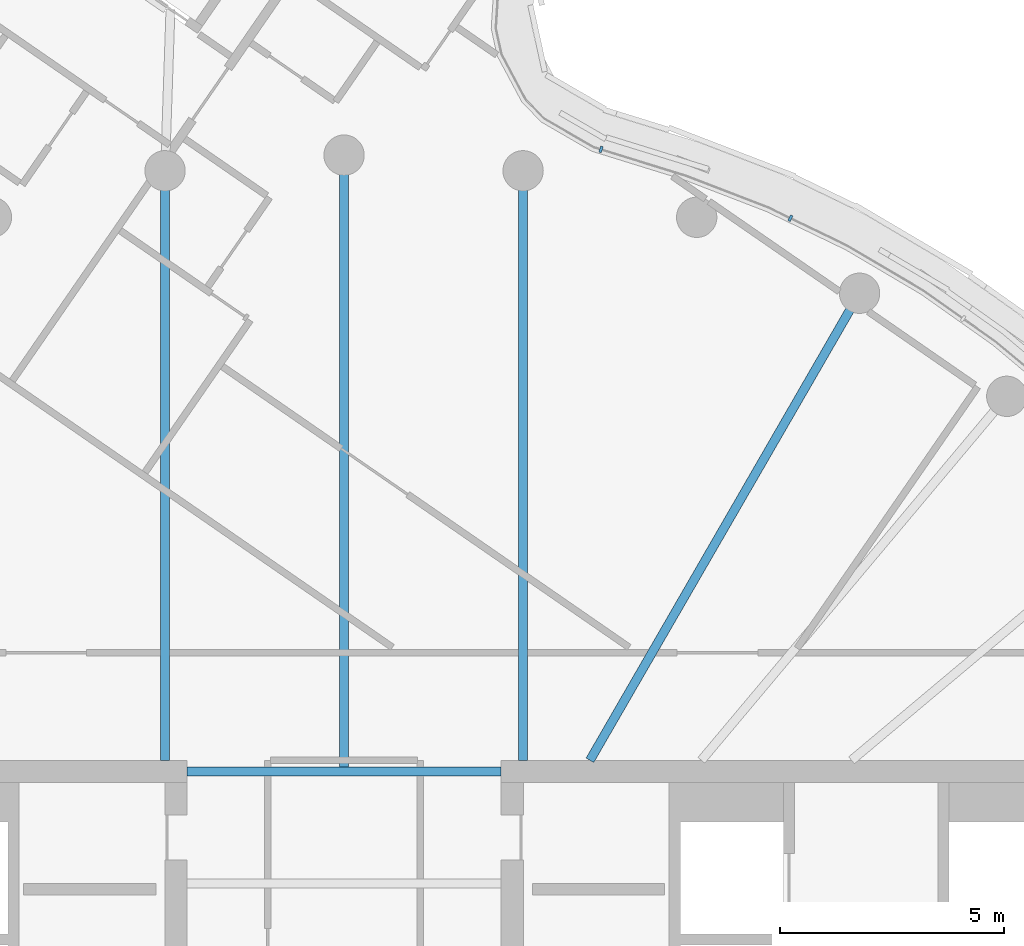
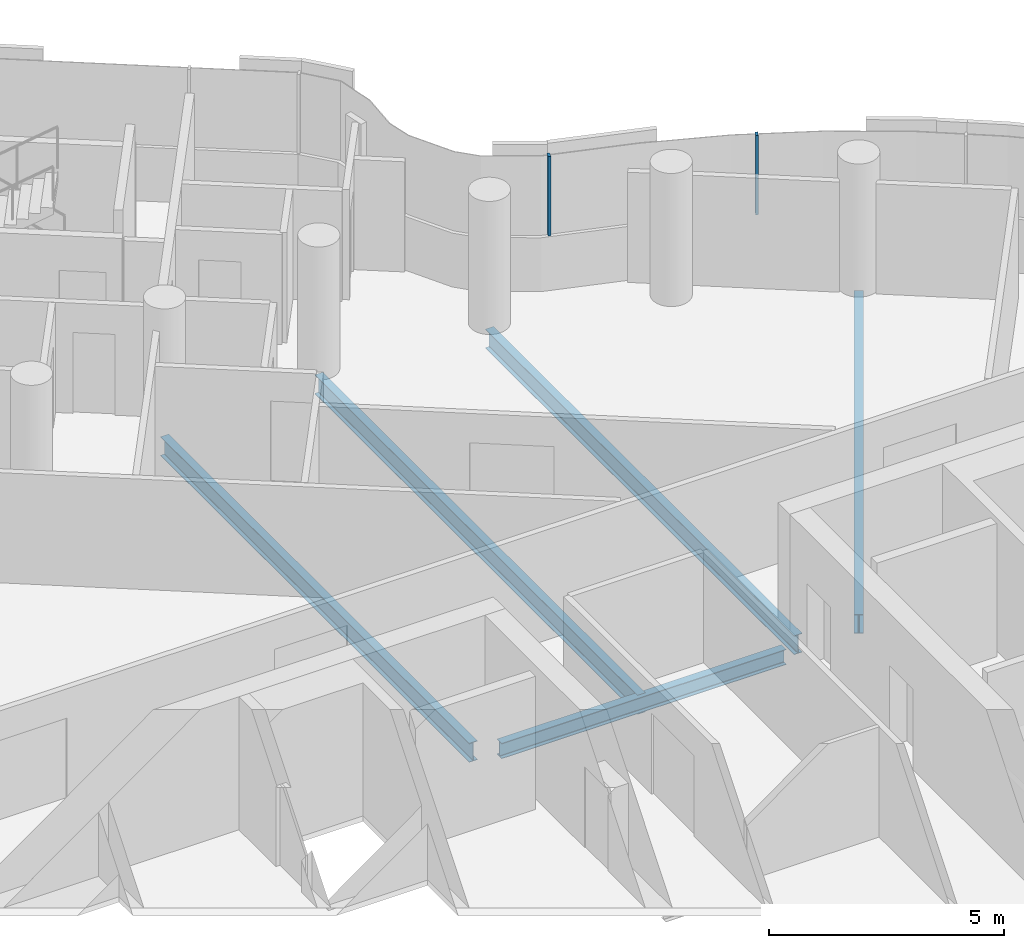
# One storey, part 10 of 26: 5 beams, 2 members, 1 element without a shape of its own.
"""IFC4 building model written with IfcOpenShell, lengths in metres."""

from ifc_helpers import new_model, si_unit, direction, frame, origin, origin_2d, place, context, subcontext, project, spatial, rectangle, i_section, extrude, material, layer, layer_set, material_profile, profile_set, type_object, element, aggregate, save


model = new_model("IFC4")

# Units and contexts
model_context = context("Model", 3, precision=1e-05, world=origin(), true_north=direction((0.0, 1.0)))
body_context = subcontext(model_context, "Body", "Model", "MODEL_VIEW")
ifc_project = project(units=[si_unit("LENGTHUNIT", "METRE"), si_unit("AREAUNIT", "SQUARE_METRE"), si_unit("VOLUMEUNIT", "CUBIC_METRE"), si_unit("PLANEANGLEUNIT", "RADIAN"), si_unit("MASSUNIT", "GRAM", prefix="KILO")], contexts=[model_context])

# Site, building, storey
site_placement = place(None, origin())
site = spatial("IfcSite", under=ifc_project, at=site_placement, CompositionType="ELEMENT")
building_placement = place(site_placement, origin())
building = spatial("IfcBuilding", under=site, at=building_placement, Name="Tamarind Cross Interchange Tower", CompositionType="ELEMENT")
storey_placement = place(building_placement, frame((0.0, 0.0, 234.300048828125)))
storey = spatial("IfcBuildingStorey", under=building, at=storey_placement, Name="L59", CompositionType="ELEMENT", Elevation=234.300048828125)

# Beams
ifc_material_1 = material(Name="Steel Q355B", Category="steel")
ifc_material_profile_1 = material_profile(ifc_material_1, i_section(OverallWidth=0.199951171875, OverallDepth=0.39990234375, WebThickness=0.008056640625, FlangeThickness=0.012939453125, FilletRadius=0.01611328125, at=origin_2d()), Name="HN 400x200x8x13")
ifc_profile_set_1 = profile_set([ifc_material_profile_1], Name="Steel Q355B")
beam_type_1 = type_object("IfcBeamType", Name="Composite beam HN 400x200x8x13 Q355B", PredefinedType="BEAM", material=ifc_profile_set_1)
beam_1_placement = place(storey_placement, frame((-3.5, 9.25, -0.340087890625), z_axis=(1.0, 0.0, 0.0), x_axis=(0.0, 1.0, 0.0)))
element("IfcBeam", 1, at=beam_1_placement, inside=storey, type_object=beam_type_1, Name="Beam G9.25", PredefinedType="BEAM", context=body_context, shape_type="SweptSolid", body=[
    extrude(i_section(OverallWidth=0.199951171875, OverallDepth=0.39990234375, WebThickness=0.008056640625, FlangeThickness=0.012939453125, FilletRadius=0.01611328125, at=origin_2d()), origin(), (0.0, 0.0, 1.0), 7.0),
])
ifc_material_profile_2 = material_profile(ifc_material_1, i_section(OverallWidth=0.198974609375, OverallDepth=0.49609375, WebThickness=0.009033203125, FlangeThickness=0.013916015625, FilletRadius=0.012939453125, at=origin_2d()), Name="HN 496x199x9x14")
ifc_profile_set_2 = profile_set([ifc_material_profile_2], Name="Steel Q355B")
beam_type_2 = type_object("IfcBeamType", Name="Composite beam HN 496x199x9x14 Q355B", PredefinedType="BEAM", material=ifc_profile_set_2)
beam_2_placement = place(storey_placement, frame((11.5, 19.918701171875, -0.387939453125), z_axis=(-0.499993565836, -0.866029118519, 0.0), x_axis=(0.866029118519, -0.499993565836, 0.0)))
element("IfcBeam", 2, at=beam_2_placement, inside=storey, type_object=beam_type_2, Name="Beam HH06", PredefinedType="BEAM", context=body_context, shape_type="SweptSolid", body=[
    extrude(i_section(OverallWidth=0.198974609375, OverallDepth=0.49609375, WebThickness=0.009033203125, FlangeThickness=0.013916015625, FilletRadius=0.012939453125, at=origin_2d()), origin(), (0.0, 0.0, 1.0), 12.030517578125),
])
beam_3_placement = place(storey_placement, frame((3.993896484375, 22.650634765625, -0.387939453125), z_axis=(0.0, -1.0, 0.0), x_axis=(1.0, 0.0, 0.0)))
element("IfcBeam", 3, at=beam_3_placement, inside=storey, type_object=beam_type_2, Name="Beam HH08", PredefinedType="BEAM", context=body_context, shape_type="SweptSolid", body=[
    extrude(i_section(OverallWidth=0.198974609375, OverallDepth=0.49609375, WebThickness=0.009033203125, FlangeThickness=0.013916015625, FilletRadius=0.012939453125, at=origin_2d()), origin(), (0.0, 0.0, 1.0), 13.150634765625),
])
beam_4_placement = place(storey_placement, frame((0.0, 23.0, -0.387939453125), z_axis=(0.0, -1.0, 0.0), x_axis=(1.0, 0.0, 0.0)))
element("IfcBeam", 4, at=beam_4_placement, inside=storey, type_object=beam_type_2, Name="Beam HH09", PredefinedType="BEAM", context=body_context, shape_type="SweptSolid", body=[
    extrude(i_section(OverallWidth=0.198974609375, OverallDepth=0.49609375, WebThickness=0.009033203125, FlangeThickness=0.013916015625, FilletRadius=0.012939453125, at=origin_2d()), origin(), (0.0, 0.0, 1.0), 13.75),
])
beam_5_placement = place(storey_placement, frame((-3.993896484375, 22.650634765625, -0.387939453125), z_axis=(0.0, -1.0, 0.0), x_axis=(1.0, 0.0, 0.0)))
element("IfcBeam", 5, at=beam_5_placement, inside=storey, type_object=beam_type_2, Name="Beam HH10", PredefinedType="BEAM", context=body_context, shape_type="SweptSolid", body=[
    extrude(i_section(OverallWidth=0.198974609375, OverallDepth=0.49609375, WebThickness=0.009033203125, FlangeThickness=0.013916015625, FilletRadius=0.012939453125, at=origin_2d()), origin(), (0.0, 0.0, 1.0), 13.150634765625),
])

# Curtain wall, members
ifc_material_2 = material(Name="Aluminium 6063-T6", Category="aluminium")
ifc_layer = layer(ifc_material_2, 0.139892578125)
ifc_layer_set = layer_set([ifc_layer], Name="Aluminium 6063-T6")
curtain_wall_type = type_object("IfcCurtainWallType", Name="Hotel curtain wall, 4.5 m bays", PredefinedType="NOTDEFINED", material=ifc_layer_set)
curtain_wall_placement = place(storey_placement, origin())
curtain_wall = element("IfcCurtainWall", 6, at=curtain_wall_placement, inside=storey, type_object=curtain_wall_type, Name="CWS-L59-02", PredefinedType="NOTDEFINED")
ifc_material_profile_3 = material_profile(ifc_material_2, rectangle(XDim=0.06005859375, YDim=0.139892578125, at=origin_2d()), Name="Mullion CW2")
ifc_profile_set_3 = profile_set([ifc_material_profile_3], Name="Aluminium 6063-T6")
member_type = type_object("IfcMemberType", Name="Mullion CW2", PredefinedType="MULLION", material=ifc_profile_set_3)
member_1_placement = place(storey_placement, frame((9.956298828125, 21.5947265625, 1.39990234375), z_axis=(0.0, 0.0, 1.0), x_axis=(-0.900272776334, 0.435326231914, 0.0)))
member_1 = element("IfcMember", 7, at=member_1_placement, type_object=member_type, Name="CWM-L59-02-20", PredefinedType="MULLION", context=body_context, shape_type="SweptSolid", body=[
    extrude(rectangle(XDim=0.06005859375, YDim=0.139892578125, at=origin_2d()), origin(), (0.0, 0.0, 1.0), 2.06005859375),
])
member_2_placement = place(storey_placement, frame((5.73193359375, 23.1279296875, 1.39990234375), z_axis=(0.0, 0.0, 1.0), x_axis=(-0.955148026789, 0.296128767466, 0.0)))
member_2 = element("IfcMember", 8, at=member_2_placement, type_object=member_type, Name="CWM-L59-02-21", PredefinedType="MULLION", context=body_context, shape_type="SweptSolid", body=[
    extrude(rectangle(XDim=0.06005859375, YDim=0.139892578125, at=origin_2d()), origin(), (0.0, 0.0, 1.0), 2.06005859375),
])
aggregate(curtain_wall, [member_1, member_2])

save(model, "model.ifc")
